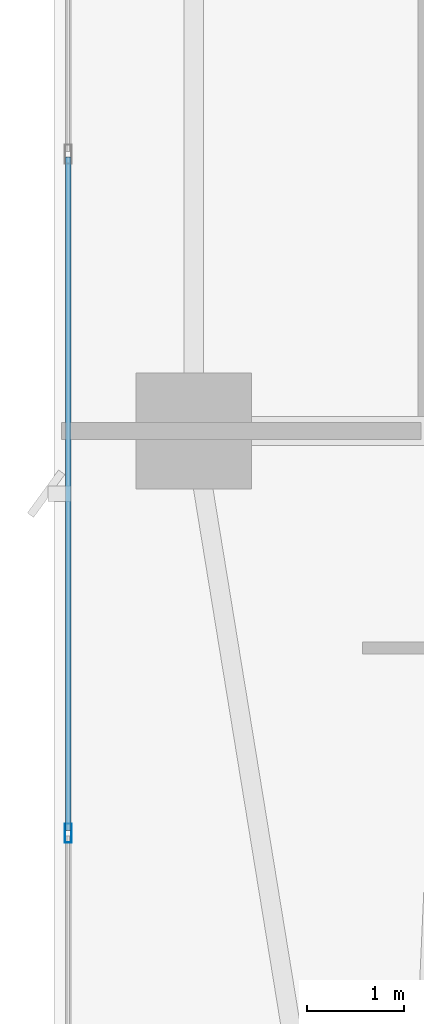
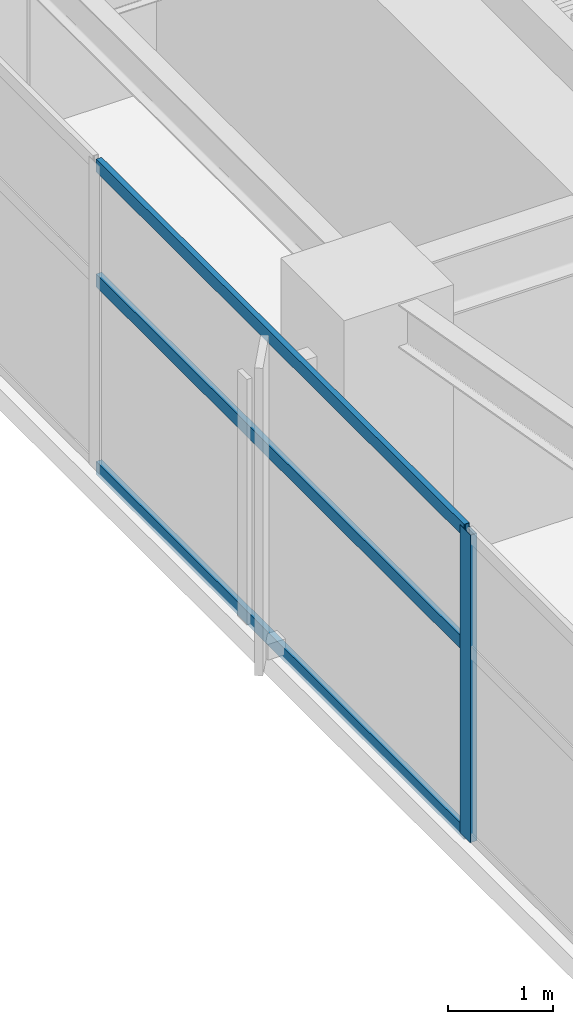
# One storey, part 4 of 28: 4 members, 1 element without a shape of its own.
"""IFC4 building model written with IfcOpenShell, lengths in metres."""

import ifcopenshell
import ifcopenshell.guid

model = None  # the IFC model being written
_history = None  # IfcOwnerHistory: only IFC2X3 demands one
_inside = {}  # id of a spatial element -> (the spatial element, [elements in it])
_under = {}  # id of a project, library or spatial element -> (it, [spatial elements below it])
_declared = {}  # id of a project -> (the project, [libraries it declares])
_typed = {}  # id of a type object -> (the type object, [elements of that type])
_made_of = {}  # id of a material, layer set ... -> (it, [elements and type objects made of it])


def new_model(schema):
    """Start an empty IFC model of exactly this schema.

    Asked for "IFC4X3", IfcOpenShell would pick the latest addendum, in which some entities
    have other attributes; the version numbers below select the first issue.
    IFC2X3 requires an IfcOwnerHistory on every rooted entity: one is made here for all.
    """
    global model, _history
    if schema == "IFC4X3":
        model = ifcopenshell.file(schema_version=(4, 3, 0, 0))
    else:
        model = ifcopenshell.file(schema=schema)
    _inside.clear()
    _under.clear()
    _declared.clear()
    _typed.clear()
    _made_of.clear()
    _history = None
    if model.schema == "IFC2X3":
        org = make("IfcOrganization", Name="unknown")
        user = make(
            "IfcPersonAndOrganization",
            ThePerson=make("IfcPerson", FamilyName="unknown"),
            TheOrganization=org,
        )
        app = make(
            "IfcApplication",
            ApplicationDeveloper=org,
            Version="unknown",
            ApplicationFullName="unknown",
            ApplicationIdentifier="unknown",
        )
        _history = make(
            "IfcOwnerHistory",
            OwningUser=user,
            OwningApplication=app,
            ChangeAction="ADDED",
            CreationDate=0,
        )
    return model


def make(cls, **values):
    """One entity of the class cls with the attributes given. An attribute that is None is left unset."""
    return model.create_entity(
        cls, **{name: value for name, value in values.items() if value is not None}
    )


def rooted(cls, **values):
    """An entity with a GlobalId (a new one), such as an element, a storey or a relation."""
    return make(cls, GlobalId=ifcopenshell.guid.new(), OwnerHistory=_history, **values)


def si_unit(unit_type, name, prefix=None):
    """IfcSIUnit, for example si_unit("LENGTHUNIT", "METRE", prefix="MILLI")."""
    return make("IfcSIUnit", UnitType=unit_type, Prefix=prefix, Name=name)


def assignment(units):
    """IfcUnitAssignment: the units of a project."""
    return None if units is None else make("IfcUnitAssignment", Units=units)


def point(xyz):
    """IfcCartesianPoint."""
    return None if xyz is None else make("IfcCartesianPoint", Coordinates=xyz)


def direction(xyz):
    """IfcDirection."""
    return None if xyz is None else make("IfcDirection", DirectionRatios=xyz)


def frame(location, z_axis=None, x_axis=None):
    """IfcAxis2Placement3D, a coordinate frame: its origin and axes. An axis left out is left unset."""
    return make(
        "IfcAxis2Placement3D",
        Location=point(location),
        Axis=direction(z_axis),
        RefDirection=direction(x_axis),
    )


def frame_2d(location, x_axis=None):
    """IfcAxis2Placement2D, a coordinate frame in the plane: its origin and x axis."""
    return make(
        "IfcAxis2Placement2D", Location=point(location), RefDirection=direction(x_axis)
    )


def origin():
    """The frame at (0, 0, 0) with its axes left unset."""
    return frame((0.0, 0.0, 0.0))


def origin_2d():
    """The frame at (0, 0) in the plane with its x axis left unset."""
    return frame_2d((0.0, 0.0))


def place(relative_to, where):
    """IfcLocalPlacement: puts the frame where relative to a parent placement (None: the world)."""
    return make(
        "IfcLocalPlacement", PlacementRelTo=relative_to, RelativePlacement=where
    )


def context(
    kind, dimensions, precision=None, world=None, true_north=None, identifier=None
):
    """IfcGeometricRepresentationContext, for example the 3D "Model" context."""
    return make(
        "IfcGeometricRepresentationContext",
        ContextIdentifier=identifier,
        ContextType=kind,
        CoordinateSpaceDimension=dimensions,
        Precision=precision,
        WorldCoordinateSystem=world,
        TrueNorth=true_north,
    )


def subcontext(parent, identifier, kind, view, scale=None):
    """IfcGeometricRepresentationSubContext, for example "Body" below "Model"."""
    return make(
        "IfcGeometricRepresentationSubContext",
        ContextIdentifier=identifier,
        ContextType=kind,
        ParentContext=parent,
        TargetScale=scale,
        TargetView=view,
    )


def project(units=None, contexts=None):
    """IfcProject with its units and contexts."""
    return rooted(
        "IfcProject",
        Name="project",
        RepresentationContexts=contexts,
        UnitsInContext=assignment(units),
    )


def spatial(cls, under=None, at=None, **own):
    """A site, building, storey or space (cls), placed at a placement, below another one or the project."""
    s = rooted(cls, ObjectPlacement=at, **own)
    if under is not None:
        _under.setdefault(under.id(), (under, []))[1].append(s)
    return s


def profile(cls, at=None, kind="AREA", **sizes):
    """A parametric profile (cls). Its sizes go by their IFC names, for example OverallWidth=200.0."""
    return make(cls, ProfileType=kind, Position=at, **sizes)


def hollow_rectangle(**sizes):
    """IfcRectangleHollowProfileDef."""
    return profile("IfcRectangleHollowProfileDef", **sizes)


def extrude(swept, where, along, depth):
    """IfcExtrudedAreaSolid: the profile swept, set in the frame where, extruded along a direction by depth."""
    return make(
        "IfcExtrudedAreaSolid",
        SweptArea=swept,
        Position=where,
        ExtrudedDirection=direction(along),
        Depth=depth,
    )


def shape(context_of_items, identifier, shape_type, items):
    """IfcShapeRepresentation: the items that make up one representation, for example the "Body"."""
    return make(
        "IfcShapeRepresentation",
        ContextOfItems=context_of_items,
        RepresentationIdentifier=identifier,
        RepresentationType=shape_type,
        Items=items,
    )


def material(Name=None, Category=None):
    """IfcMaterial."""
    return make("IfcMaterial", Name=Name, Category=Category)


def layer(
    of_material, thickness, ventilated=None, Name=None, Category=None, Priority=None
):
    """IfcMaterialLayer: one layer of a wall or slab, of a material (None: an air gap)."""
    return make(
        "IfcMaterialLayer",
        Material=of_material,
        LayerThickness=thickness,
        IsVentilated=ventilated,
        Name=Name,
        Category=Category,
        Priority=Priority,
    )


def layer_set(layers, Name=None):
    """IfcMaterialLayerSet."""
    return make("IfcMaterialLayerSet", MaterialLayers=layers, LayerSetName=Name)


def material_profile(
    of_material, cross_section, Name=None, Category=None, Priority=None
):
    """IfcMaterialProfile: a cross section and its material."""
    return make(
        "IfcMaterialProfile",
        Name=Name,
        Material=of_material,
        Profile=cross_section,
        Priority=Priority,
        Category=Category,
    )


def profile_set(profiles, Name=None, composite=None):
    """IfcMaterialProfileSet."""
    return make(
        "IfcMaterialProfileSet",
        Name=Name,
        MaterialProfiles=profiles,
        CompositeProfile=composite,
    )


def made_of(thing, what):
    """Note that an element or type object is made of a material, layer set ...; save() writes the relation."""
    if what is not None:
        _made_of.setdefault(what.id(), (what, []))[1].append(thing)
    return thing


def type_object(cls, material=None, **own):
    """A type object (cls), such as IfcWallType, which elements share."""
    return made_of(rooted(cls, **own), material)


def element(
    cls,
    number,
    at=None,
    inside=None,
    cuts=None,
    type_object=None,
    material=None,
    context=None,
    identifier="Body",
    shape_type=None,
    held_by="IfcProductDefinitionShape",
    body=None,
    shapes=None,
    **own,
):
    """One element of the class cls, such as IfcWall. Its Tag is "e" and its number.

    at: its placement. inside: the storey or other place that contains it. cuts: it is an
    opening in that element (IfcRelVoidsElement). A single representation is given by context,
    identifier, shape_type and body (its items); several are given by shapes. held_by: the class
    of the entity that holds the representations. save() writes the other relations.
    """
    e = rooted(cls, Tag="e%d" % number, ObjectPlacement=at, **own)
    if body is not None:
        shapes = [shape(context, identifier, shape_type, body)]
    if shapes is not None:
        e.Representation = make(held_by, Representations=shapes)
    if inside is not None:
        _inside.setdefault(inside.id(), (inside, []))[1].append(e)
    if cuts is not None:
        rooted(
            "IfcRelVoidsElement", RelatingBuildingElement=cuts, RelatedOpeningElement=e
        )
    if type_object is not None:
        _typed.setdefault(type_object.id(), (type_object, []))[1].append(e)
    return made_of(e, material)


def aggregate(whole, parts):
    """IfcRelAggregates: a whole, such as a stair, and the parts it consists of."""
    return rooted("IfcRelAggregates", RelatingObject=whole, RelatedObjects=parts)


def save(model, path):
    """Write the relations noted so far, then the file.

    IfcRelAggregates (storeys below a building ...), IfcRelContainedInSpatialStructure (elements
    in a storey), IfcRelDefinesByType, IfcRelAssociatesMaterial and IfcRelDeclares: one each for
    every whole, place, type object, material and project.
    """
    for whole, parts in _under.values():
        aggregate(whole, parts)
    for where, things in _inside.values():
        rooted(
            "IfcRelContainedInSpatialStructure",
            RelatedElements=things,
            RelatingStructure=where,
        )
    for kind, things in _typed.values():
        rooted("IfcRelDefinesByType", RelatedObjects=things, RelatingType=kind)
    for what, things in _made_of.values():
        rooted("IfcRelAssociatesMaterial", RelatedObjects=things, RelatingMaterial=what)
    for by, libraries in _declared.values():
        rooted("IfcRelDeclares", RelatingContext=by, RelatedDefinitions=libraries)
    model.write(path)


model = new_model("IFC4")

# Units and contexts
model_context = context("Model", 3, precision=1e-05, world=origin(), true_north=direction((0.0, 1.0)))
body_context = subcontext(model_context, "Body", "Model", "MODEL_VIEW")
ifc_project = project(units=[si_unit("LENGTHUNIT", "METRE"), si_unit("AREAUNIT", "SQUARE_METRE"), si_unit("VOLUMEUNIT", "CUBIC_METRE"), si_unit("PLANEANGLEUNIT", "RADIAN"), si_unit("MASSUNIT", "GRAM", prefix="KILO")], contexts=[model_context])

# Site, building, storey
site_placement = place(None, origin())
site = spatial("IfcSite", under=ifc_project, at=site_placement, CompositionType="ELEMENT")
building_placement = place(site_placement, origin())
building = spatial("IfcBuilding", under=site, at=building_placement, Name="Calvorn Quay Hotel", CompositionType="ELEMENT")
storey_placement = place(building_placement, frame((0.0, 0.0, 112.60009765625)))
storey = spatial("IfcBuildingStorey", under=building, at=storey_placement, Name="L27", CompositionType="ELEMENT", Elevation=112.60009765625)

# Curtain wall, members
ifc_material_1 = material(Name="Pale Anodised Aluminium and Low-E Glass", Category="aluminium")
ifc_layer = layer(ifc_material_1, 0.219970703125)
ifc_layer_set = layer_set([ifc_layer], Name="CW-SYS-Z2")
curtain_wall_type = type_object("IfcCurtainWallType", Name="CW-SYS-Z2", PredefinedType="NOTDEFINED", material=ifc_layer_set)
curtain_wall_placement = place(storey_placement, origin())
curtain_wall = element("IfcCurtainWall", 1, at=curtain_wall_placement, inside=storey, type_object=curtain_wall_type, Name="Tower West Curtain Wall (L27)", PredefinedType="NOTDEFINED")
ifc_material_2 = material(Name="Pale Anodised Aluminium 6063-T6", Category="aluminium")
ifc_material_profile_1 = material_profile(ifc_material_2, hollow_rectangle(XDim=0.070068359375, YDim=0.199951171875, WallThickness=0.00390625, at=origin_2d()), Name="ALU-M200x70x4")
ifc_profile_set_1 = profile_set([ifc_material_profile_1], Name="Pale Anodised Aluminium 6063-T6")
member_type_1 = type_object("IfcMemberType", Name="CW-SYS-Z2-MUL", PredefinedType="MULLION", material=ifc_profile_set_1)
member_1_placement = place(storey_placement, frame((0.14990234375, 12.63330078125, 0.0), z_axis=(0.0, 0.0, 1.0), x_axis=(-1.0, 0.0, 0.0)))
member_1 = element("IfcMember", 2, at=member_1_placement, type_object=member_type_1, Name="CW-L27-W mullion 2", PredefinedType="MULLION", context=body_context, shape_type="SweptSolid", body=[
    extrude(hollow_rectangle(XDim=0.070068359375, YDim=0.199951171875, WallThickness=0.00390625, at=origin_2d()), origin(), (0.0, 0.0, 1.0), 3.559814453125),
])
ifc_material_3 = material(Name="Pale Anodised Aluminium 6063-T6", Category="aluminium")
ifc_material_profile_2 = material_profile(ifc_material_3, hollow_rectangle(XDim=0.06005859375, YDim=0.14990234375, WallThickness=0.00341796875, at=origin_2d()), Name="ALU-T150x60x3.5")
ifc_profile_set_2 = profile_set([ifc_material_profile_2], Name="Pale Anodised Aluminium 6063-T6")
member_type_2 = type_object("IfcMemberType", Name="CW-SYS-Z2-TRN", PredefinedType="USERDEFINED", material=ifc_profile_set_2)
member_2_placement = place(storey_placement, frame((0.14990234375, 12.663330078125, 0.02978515625), z_axis=(0.0, 1.0, 0.0), x_axis=(-1.0, 0.0, 0.0)))
member_2 = element("IfcMember", 3, at=member_2_placement, type_object=member_type_2, Name="CW-L27-W transom 2.1", ObjectType="TRANSOM", PredefinedType="USERDEFINED", context=body_context, shape_type="SweptSolid", body=[
    extrude(hollow_rectangle(XDim=0.06005859375, YDim=0.14990234375, WallThickness=0.00341796875, at=origin_2d()), origin(), (0.0, 0.0, 1.0), 6.973388671875),
])
member_3_placement = place(storey_placement, frame((0.14990234375, 12.663330078125, 2.199951171875), z_axis=(0.0, 1.0, 0.0), x_axis=(-1.0, 0.0, 0.0)))
member_3 = element("IfcMember", 4, at=member_3_placement, type_object=member_type_2, Name="CW-L27-W transom 2.2", ObjectType="TRANSOM", PredefinedType="USERDEFINED", context=body_context, shape_type="SweptSolid", body=[
    extrude(hollow_rectangle(XDim=0.06005859375, YDim=0.14990234375, WallThickness=0.00341796875, at=origin_2d()), origin(), (0.0, 0.0, 1.0), 6.973388671875),
])
member_4_placement = place(storey_placement, frame((0.14990234375, 12.663330078125, 3.52978515625), z_axis=(0.0, 1.0, 0.0), x_axis=(-1.0, 0.0, 0.0)))
member_4 = element("IfcMember", 5, at=member_4_placement, type_object=member_type_2, Name="CW-L27-W transom 2.3", ObjectType="TRANSOM", PredefinedType="USERDEFINED", context=body_context, shape_type="SweptSolid", body=[
    extrude(hollow_rectangle(XDim=0.06005859375, YDim=0.14990234375, WallThickness=0.00341796875, at=origin_2d()), origin(), (0.0, 0.0, 1.0), 6.973388671875),
])
aggregate(curtain_wall, [member_1, member_2, member_3, member_4])

save(model, "model.ifc")
